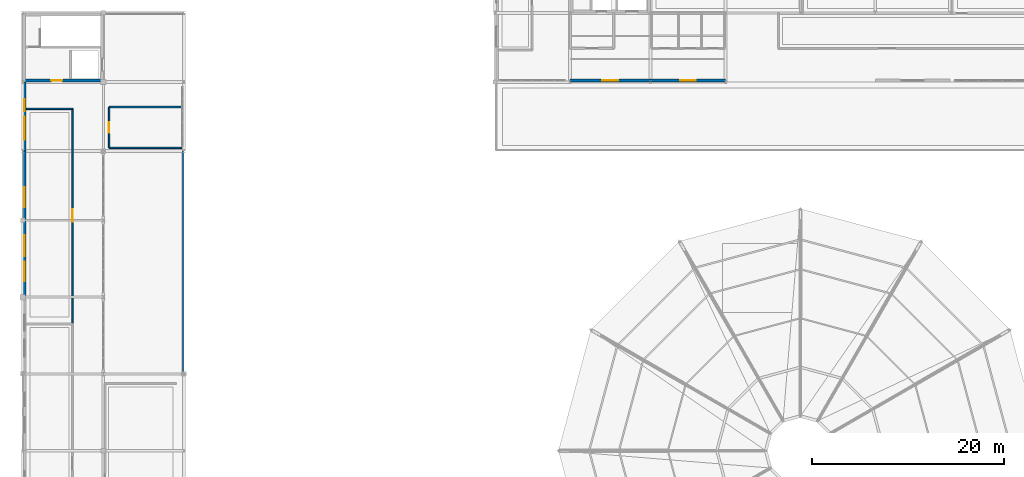
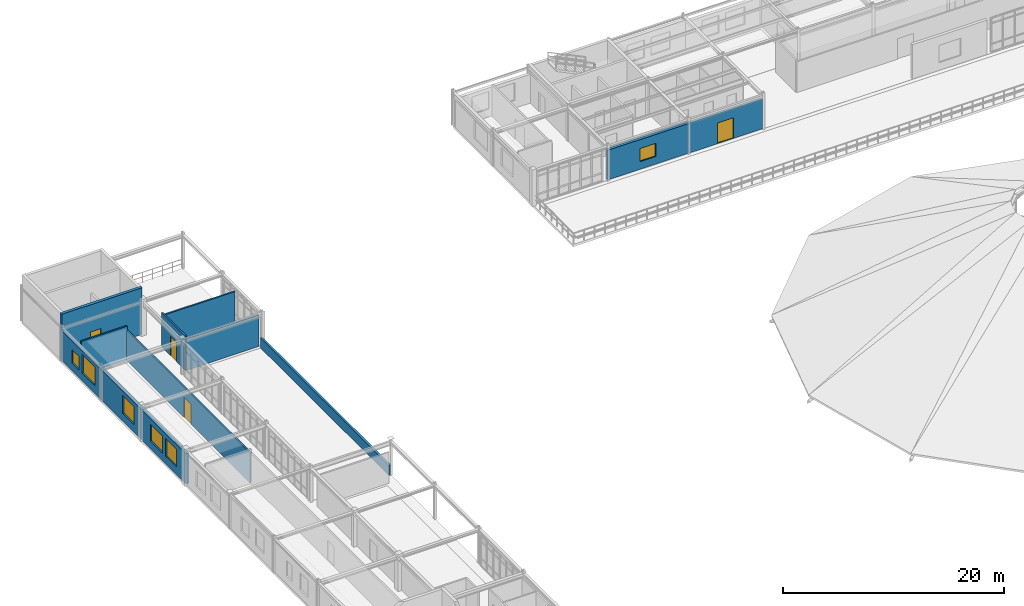
# One storey, part 50 of 58: 12 walls, 6 windows, 4 doors, 10 openings.
"""IFC4 building model written with IfcOpenShell, lengths in metres."""

import ifcopenshell
import ifcopenshell.guid

model = None  # the IFC model being written
_history = None  # IfcOwnerHistory: only IFC2X3 demands one
_inside = {}  # id of a spatial element -> (the spatial element, [elements in it])
_under = {}  # id of a project, library or spatial element -> (it, [spatial elements below it])
_declared = {}  # id of a project -> (the project, [libraries it declares])
_typed = {}  # id of a type object -> (the type object, [elements of that type])
_made_of = {}  # id of a material, layer set ... -> (it, [elements and type objects made of it])


def new_model(schema):
    """Start an empty IFC model of exactly this schema.

    Asked for "IFC4X3", IfcOpenShell would pick the latest addendum, in which some entities
    have other attributes; the version numbers below select the first issue.
    IFC2X3 requires an IfcOwnerHistory on every rooted entity: one is made here for all.
    """
    global model, _history
    if schema == "IFC4X3":
        model = ifcopenshell.file(schema_version=(4, 3, 0, 0))
    else:
        model = ifcopenshell.file(schema=schema)
    _inside.clear()
    _under.clear()
    _declared.clear()
    _typed.clear()
    _made_of.clear()
    _history = None
    if model.schema == "IFC2X3":
        org = make("IfcOrganization", Name="unknown")
        user = make(
            "IfcPersonAndOrganization",
            ThePerson=make("IfcPerson", FamilyName="unknown"),
            TheOrganization=org,
        )
        app = make(
            "IfcApplication",
            ApplicationDeveloper=org,
            Version="unknown",
            ApplicationFullName="unknown",
            ApplicationIdentifier="unknown",
        )
        _history = make(
            "IfcOwnerHistory",
            OwningUser=user,
            OwningApplication=app,
            ChangeAction="ADDED",
            CreationDate=0,
        )
    return model


def make(cls, **values):
    """One entity of the class cls with the attributes given. An attribute that is None is left unset."""
    return model.create_entity(
        cls, **{name: value for name, value in values.items() if value is not None}
    )


def rooted(cls, **values):
    """An entity with a GlobalId (a new one), such as an element, a storey or a relation."""
    return make(cls, GlobalId=ifcopenshell.guid.new(), OwnerHistory=_history, **values)


def si_unit(unit_type, name, prefix=None):
    """IfcSIUnit, for example si_unit("LENGTHUNIT", "METRE", prefix="MILLI")."""
    return make("IfcSIUnit", UnitType=unit_type, Prefix=prefix, Name=name)


def derived_unit(unit_type, elements):
    """IfcDerivedUnit: a product of units, each with its exponent."""
    return make(
        "IfcDerivedUnit",
        Elements=[
            make("IfcDerivedUnitElement", Unit=unit, Exponent=power)
            for unit, power in elements
        ],
        UnitType=unit_type,
    )


def assignment(units):
    """IfcUnitAssignment: the units of a project."""
    return None if units is None else make("IfcUnitAssignment", Units=units)


def point(xyz):
    """IfcCartesianPoint."""
    return None if xyz is None else make("IfcCartesianPoint", Coordinates=xyz)


def direction(xyz):
    """IfcDirection."""
    return None if xyz is None else make("IfcDirection", DirectionRatios=xyz)


def frame(location, z_axis=None, x_axis=None):
    """IfcAxis2Placement3D, a coordinate frame: its origin and axes. An axis left out is left unset."""
    return make(
        "IfcAxis2Placement3D",
        Location=point(location),
        Axis=direction(z_axis),
        RefDirection=direction(x_axis),
    )


def frame_2d(location, x_axis=None):
    """IfcAxis2Placement2D, a coordinate frame in the plane: its origin and x axis."""
    return make(
        "IfcAxis2Placement2D", Location=point(location), RefDirection=direction(x_axis)
    )


def origin():
    """The frame at (0, 0, 0) with its axes left unset."""
    return frame((0.0, 0.0, 0.0))


def place(relative_to, where):
    """IfcLocalPlacement: puts the frame where relative to a parent placement (None: the world)."""
    return make(
        "IfcLocalPlacement", PlacementRelTo=relative_to, RelativePlacement=where
    )


def context(
    kind, dimensions, precision=None, world=None, true_north=None, identifier=None
):
    """IfcGeometricRepresentationContext, for example the 3D "Model" context."""
    return make(
        "IfcGeometricRepresentationContext",
        ContextIdentifier=identifier,
        ContextType=kind,
        CoordinateSpaceDimension=dimensions,
        Precision=precision,
        WorldCoordinateSystem=world,
        TrueNorth=true_north,
    )


def subcontext(parent, identifier, kind, view, scale=None):
    """IfcGeometricRepresentationSubContext, for example "Body" below "Model"."""
    return make(
        "IfcGeometricRepresentationSubContext",
        ContextIdentifier=identifier,
        ContextType=kind,
        ParentContext=parent,
        TargetScale=scale,
        TargetView=view,
    )


def project(units=None, contexts=None):
    """IfcProject with its units and contexts."""
    return rooted(
        "IfcProject",
        Name="project",
        RepresentationContexts=contexts,
        UnitsInContext=assignment(units),
    )


def spatial(cls, under=None, at=None, **own):
    """A site, building, storey or space (cls), placed at a placement, below another one or the project."""
    s = rooted(cls, ObjectPlacement=at, **own)
    if under is not None:
        _under.setdefault(under.id(), (under, []))[1].append(s)
    return s


def profile(cls, at=None, kind="AREA", **sizes):
    """A parametric profile (cls). Its sizes go by their IFC names, for example OverallWidth=200.0."""
    return make(cls, ProfileType=kind, Position=at, **sizes)


def rectangle(**sizes):
    """IfcRectangleProfileDef."""
    return profile("IfcRectangleProfileDef", **sizes)


def extrude(swept, where, along, depth):
    """IfcExtrudedAreaSolid: the profile swept, set in the frame where, extruded along a direction by depth."""
    return make(
        "IfcExtrudedAreaSolid",
        SweptArea=swept,
        Position=where,
        ExtrudedDirection=direction(along),
        Depth=depth,
    )


def shape(context_of_items, identifier, shape_type, items):
    """IfcShapeRepresentation: the items that make up one representation, for example the "Body"."""
    return make(
        "IfcShapeRepresentation",
        ContextOfItems=context_of_items,
        RepresentationIdentifier=identifier,
        RepresentationType=shape_type,
        Items=items,
    )


def material(Name=None, Category=None):
    """IfcMaterial."""
    return make("IfcMaterial", Name=Name, Category=Category)


def layer(
    of_material, thickness, ventilated=None, Name=None, Category=None, Priority=None
):
    """IfcMaterialLayer: one layer of a wall or slab, of a material (None: an air gap)."""
    return make(
        "IfcMaterialLayer",
        Material=of_material,
        LayerThickness=thickness,
        IsVentilated=ventilated,
        Name=Name,
        Category=Category,
        Priority=Priority,
    )


def layer_set(layers, Name=None):
    """IfcMaterialLayerSet."""
    return make("IfcMaterialLayerSet", MaterialLayers=layers, LayerSetName=Name)


def made_of(thing, what):
    """Note that an element or type object is made of a material, layer set ...; save() writes the relation."""
    if what is not None:
        _made_of.setdefault(what.id(), (what, []))[1].append(thing)
    return thing


def type_object(cls, material=None, **own):
    """A type object (cls), such as IfcWallType, which elements share."""
    return made_of(rooted(cls, **own), material)


def element(
    cls,
    number,
    at=None,
    inside=None,
    cuts=None,
    type_object=None,
    material=None,
    context=None,
    identifier="Body",
    shape_type=None,
    held_by="IfcProductDefinitionShape",
    body=None,
    shapes=None,
    **own,
):
    """One element of the class cls, such as IfcWall. Its Tag is "e" and its number.

    at: its placement. inside: the storey or other place that contains it. cuts: it is an
    opening in that element (IfcRelVoidsElement). A single representation is given by context,
    identifier, shape_type and body (its items); several are given by shapes. held_by: the class
    of the entity that holds the representations. save() writes the other relations.
    """
    e = rooted(cls, Tag="e%d" % number, ObjectPlacement=at, **own)
    if body is not None:
        shapes = [shape(context, identifier, shape_type, body)]
    if shapes is not None:
        e.Representation = make(held_by, Representations=shapes)
    if inside is not None:
        _inside.setdefault(inside.id(), (inside, []))[1].append(e)
    if cuts is not None:
        rooted(
            "IfcRelVoidsElement", RelatingBuildingElement=cuts, RelatedOpeningElement=e
        )
    if type_object is not None:
        _typed.setdefault(type_object.id(), (type_object, []))[1].append(e)
    return made_of(e, material)


def fill(opening, filler):
    """IfcRelFillsElement: the door or window that sits in an opening."""
    return rooted(
        "IfcRelFillsElement",
        RelatingOpeningElement=opening,
        RelatedBuildingElement=filler,
    )


def aggregate(whole, parts):
    """IfcRelAggregates: a whole, such as a stair, and the parts it consists of."""
    return rooted("IfcRelAggregates", RelatingObject=whole, RelatedObjects=parts)


def save(model, path):
    """Write the relations noted so far, then the file.

    IfcRelAggregates (storeys below a building ...), IfcRelContainedInSpatialStructure (elements
    in a storey), IfcRelDefinesByType, IfcRelAssociatesMaterial and IfcRelDeclares: one each for
    every whole, place, type object, material and project.
    """
    for whole, parts in _under.values():
        aggregate(whole, parts)
    for where, things in _inside.values():
        rooted(
            "IfcRelContainedInSpatialStructure",
            RelatedElements=things,
            RelatingStructure=where,
        )
    for kind, things in _typed.values():
        rooted("IfcRelDefinesByType", RelatedObjects=things, RelatingType=kind)
    for what, things in _made_of.values():
        rooted("IfcRelAssociatesMaterial", RelatedObjects=things, RelatingMaterial=what)
    for by, libraries in _declared.values():
        rooted("IfcRelDeclares", RelatingContext=by, RelatedDefinitions=libraries)
    model.write(path)


model = new_model("IFC4")

# Units and contexts
model_context = context("Model", 3, precision=1e-05, world=origin(), true_north=direction((0.0, 1.0)))
body_context = subcontext(model_context, "Body", "Model", "MODEL_VIEW")
ifc_project = project(units=[si_unit("LENGTHUNIT", "METRE"), si_unit("AREAUNIT", "SQUARE_METRE"), si_unit("VOLUMEUNIT", "CUBIC_METRE"), si_unit("PLANEANGLEUNIT", "RADIAN"), si_unit("MASSUNIT", "GRAM", prefix="KILO"), derived_unit("THERMALTRANSMITTANCEUNIT", [(si_unit("POWERUNIT", "WATT"), 1), (si_unit("AREAUNIT", "SQUARE_METRE"), -1), (si_unit("THERMODYNAMICTEMPERATUREUNIT", "KELVIN"), -1)])], contexts=[model_context])

# Site, building, storey
site_placement = place(None, origin())
site = spatial("IfcSite", under=ifc_project, at=site_placement, CompositionType="ELEMENT")
building_placement = place(site_placement, origin())
building = spatial("IfcBuilding", under=site, at=building_placement, Name="Yasenodar Specialist Clinic", CompositionType="ELEMENT")
storey_placement = place(building_placement, frame((0.0, 0.0, 21.300048828125)))
storey = spatial("IfcBuildingStorey", under=building, at=storey_placement, Name="L05", CompositionType="ELEMENT", Elevation=21.300048828125)

# Wall, opening, door
ifc_material_1 = material(Name="Stepped Terrace Insulated Terracotta Wall", Category="masonry")
ifc_layer_1 = layer(ifc_material_1, 0.294921875)
ifc_layer_set_1 = layer_set([ifc_layer_1], Name="Stepped Terrace Insulated Terracotta Wall")
wall_type_1 = type_object("IfcWallType", Name="EW-TERR-295", PredefinedType="SOLIDWALL", material=ifc_layer_set_1)
wall_1_placement = place(storey_placement, frame((73.199951171875, 97.3701171875, 0.0), z_axis=(0.0, 0.0, 1.0), x_axis=(-1.0, 0.0, 0.0)))
wall_1 = element("IfcWall", 1, at=wall_1_placement, inside=storey, type_object=wall_type_1, Name="L05 Exterior Facade Wall 0151", PredefinedType="SOLIDWALL", context=body_context, shape_type="SweptSolid", body=[
    extrude(rectangle(XDim=7.800048828125, YDim=0.294921875, at=frame_2d((3.89990234375, 0.0))), origin(), (0.0, 0.0, 1.0), 3.27783203125),
])
opening_1_placement = place(wall_1_placement, frame((3.074951171875, 0.0, 0.0)))
opening_1 = element("IfcOpeningElement", 2, at=opening_1_placement, cuts=wall_1, Name="Opening TD-02", PredefinedType="OPENING", context=body_context, shape_type="SweptSolid", body=[
    extrude(rectangle(XDim=1.64990234375, YDim=2.280029296875, at=frame_2d((0.824951171875, 1.14013671875))), frame((0.0, 0.157470703125, 0.0), z_axis=(0.0, -1.0, 0.0), x_axis=(1.0, 0.0, 0.0)), (0.0, 0.0, 1.0), 0.31494140625),
])
ifc_material_2 = material(Name="Thermally Broken Bronze Anodized Aluminium and Laminated Glass", Category="aluminium")
door_type_1 = type_object("IfcDoorType", Name="DR-TERR-165", OperationType="DOUBLE_DOOR_SINGLE_SWING", PredefinedType="DOOR", material=ifc_material_2)
door_1_placement = place(opening_1_placement, origin())
door_1 = element("IfcDoor", 3, at=door_1_placement, inside=storey, type_object=door_type_1, Name="L05 L05 Step-2 Planted Terrace Access Door", OperationType="DOUBLE_DOOR_SINGLE_SWING", OverallHeight=2.280029296875, OverallWidth=1.64990234375, PredefinedType="DOOR", context=body_context, shape_type="SweptSolid", body=[
    extrude(rectangle(XDim=1.64990234375, YDim=2.280029296875, at=frame_2d((0.824951171875, 1.14013671875))), frame((0.0, 0.02490234375, 0.0), z_axis=(0.0, -1.0, 0.0), x_axis=(1.0, 0.0, 0.0)), (0.0, 0.0, 1.0), 0.050048828125),
])
fill(opening_1, door_1)

# Wall, opening, window
wall_2_placement = place(storey_placement, frame((65.39990234375, 97.3701171875, 0.0), z_axis=(0.0, 0.0, 1.0), x_axis=(-1.0, 0.0, 0.0)))
wall_2 = element("IfcWall", 4, at=wall_2_placement, inside=storey, type_object=wall_type_1, Name="L05 Exterior Facade Wall 0152", PredefinedType="SOLIDWALL", context=body_context, shape_type="SweptSolid", body=[
    extrude(rectangle(XDim=8.39990234375, YDim=0.294921875, at=frame_2d((4.199951171875, 0.0))), origin(), (0.0, 0.0, 1.0), 3.27783203125),
])
opening_2_placement = place(wall_2_placement, frame((3.375, 0.0, 0.85009765625)))
opening_2 = element("IfcOpeningElement", 5, at=opening_2_placement, cuts=wall_2, Name="Opening W-20", PredefinedType="OPENING", context=body_context, shape_type="SweptSolid", body=[
    extrude(rectangle(XDim=1.64990234375, YDim=1.449951171875, at=frame_2d((0.824951171875, 0.72509765625))), frame((0.0, 0.157470703125, 0.0), z_axis=(0.0, -1.0, 0.0), x_axis=(1.0, 0.0, 0.0)), (0.0, 0.0, 1.0), 0.31494140625),
])
ifc_material_3 = material(Name="Triple Low-E Argon Glazing in Bronze Aluminium Frame", Category="aluminium")
window_type_1 = type_object("IfcWindowType", Name="WIN-EXT-20", PartitioningType="SINGLE_PANEL", PredefinedType="WINDOW", material=ifc_material_3)
window_1_placement = place(opening_2_placement, origin())
window_1 = element("IfcWindow", 6, at=window_1_placement, inside=storey, type_object=window_type_1, Name="L05 Triple-Glazed Reveal Window 0166", OverallHeight=1.449951171875, OverallWidth=1.64990234375, PartitioningType="SINGLE_PANEL", PredefinedType="WINDOW", context=body_context, shape_type="SweptSolid", body=[
    extrude(rectangle(XDim=1.64990234375, YDim=1.449951171875, at=frame_2d((0.824951171875, 0.72509765625))), frame((0.0, 0.030029296875, 0.0), z_axis=(0.0, -1.0, 0.0), x_axis=(1.0, 0.0, 0.0)), (0.0, 0.0, 1.0), 0.06005859375),
])
fill(opening_2, window_1)

# Wall, openings, windows
ifc_material_4 = material(Name="Buff Architectural Terracotta Rainscreen", Category="masonry")
ifc_layer_2 = layer(ifc_material_4, 0.340087890625)
ifc_layer_set_2 = layer_set([ifc_layer_2], Name="Buff Architectural Terracotta Rainscreen")
wall_type_2 = type_object("IfcWallType", Name="EW-TERR-340", PredefinedType="SOLIDWALL", material=ifc_layer_set_2)
wall_3_placement = place(storey_placement, frame((0.199951171875, 74.800048828125, 0.0), z_axis=(0.0, 0.0, 1.0), x_axis=(0.0, 1.0, 0.0)))
wall_3 = element("IfcWall", 7, at=wall_3_placement, inside=storey, type_object=wall_type_2, Name="L05 Exterior Facade Wall 0130", PredefinedType="SOLIDWALL", context=body_context, shape_type="SweptSolid", body=[
    extrude(rectangle(XDim=8.0, YDim=0.340087890625, at=frame_2d((4.0, 0.0))), origin(), (0.0, 0.0, 1.0), 3.327880859375),
])
opening_3_placement = place(wall_3_placement, frame((1.666748046875, 0.0, 0.85009765625)))
opening_3 = element("IfcOpeningElement", 8, at=opening_3_placement, cuts=wall_3, Name="Opening W-06", PredefinedType="OPENING", context=body_context, shape_type="SweptSolid", body=[
    extrude(rectangle(XDim=2.0, YDim=1.949951171875, at=frame_2d((1.0, 0.97509765625))), frame((0.0, 0.18017578125, 0.0), z_axis=(0.0, -1.0, 0.0), x_axis=(1.0, 0.0, 0.0)), (0.0, 0.0, 1.0), 0.360107421875),
])
opening_4_placement = place(wall_3_placement, frame((4.2333984375, 0.0, 0.85009765625)))
opening_4 = element("IfcOpeningElement", 9, at=opening_4_placement, cuts=wall_3, Name="Opening W-13", PredefinedType="OPENING", context=body_context, shape_type="SweptSolid", body=[
    extrude(rectangle(XDim=2.199951171875, YDim=1.85009765625, at=frame_2d((1.10009765625, 0.925048828125))), frame((0.0, 0.18017578125, 0.0), z_axis=(0.0, -1.0, 0.0), x_axis=(1.0, 0.0, 0.0)), (0.0, 0.0, 1.0), 0.360107421875),
])
window_type_2 = type_object("IfcWindowType", Name="WIN-EXT-06", PartitioningType="SINGLE_PANEL", PredefinedType="WINDOW", material=ifc_material_3)
window_2_placement = place(opening_3_placement, origin())
window_2 = element("IfcWindow", 10, at=window_2_placement, inside=storey, type_object=window_type_2, Name="L05 Triple-Glazed Reveal Window 0145", OverallHeight=1.949951171875, OverallWidth=2.0, PartitioningType="SINGLE_PANEL", PredefinedType="WINDOW", context=body_context, shape_type="SweptSolid", body=[
    extrude(rectangle(XDim=2.0, YDim=1.949951171875, at=frame_2d((1.0, 0.97509765625))), frame((0.0, 0.030029296875, 0.0), z_axis=(0.0, -1.0, 0.0), x_axis=(1.0, 0.0, 0.0)), (0.0, 0.0, 1.0), 0.06005859375),
])
fill(opening_3, window_2)
window_type_3 = type_object("IfcWindowType", Name="WIN-EXT-13", PartitioningType="SINGLE_PANEL", PredefinedType="WINDOW", material=ifc_material_3)
window_3_placement = place(opening_4_placement, origin())
window_3 = element("IfcWindow", 11, at=window_3_placement, inside=storey, type_object=window_type_3, Name="L05 Triple-Glazed Reveal Window 0146", OverallHeight=1.85009765625, OverallWidth=2.199951171875, PartitioningType="SINGLE_PANEL", PredefinedType="WINDOW", context=body_context, shape_type="SweptSolid", body=[
    extrude(rectangle(XDim=2.199951171875, YDim=1.85009765625, at=frame_2d((1.10009765625, 0.925048828125))), frame((0.0, 0.030029296875, 0.0), z_axis=(0.0, -1.0, 0.0), x_axis=(1.0, 0.0, 0.0)), (0.0, 0.0, 1.0), 0.06005859375),
])
fill(opening_4, window_3)

# Wall, opening, window
wall_4_placement = place(storey_placement, frame((0.199951171875, 82.800048828125, 0.0), z_axis=(0.0, 0.0, 1.0), x_axis=(0.0, 1.0, 0.0)))
wall_4 = element("IfcWall", 12, at=wall_4_placement, inside=storey, type_object=wall_type_2, Name="L05 Exterior Facade Wall 0131", PredefinedType="SOLIDWALL", context=body_context, shape_type="SweptSolid", body=[
    extrude(rectangle(XDim=7.199951171875, YDim=0.340087890625, at=frame_2d((3.60009765625, 0.0))), origin(), (0.0, 0.0, 1.0), 3.337890625),
])
opening_5_placement = place(wall_4_placement, frame((1.35009765625, 0.0, 0.85009765625)))
opening_5 = element("IfcOpeningElement", 13, at=opening_5_placement, cuts=wall_4, Name="Opening W-07", PredefinedType="OPENING", context=body_context, shape_type="SweptSolid", body=[
    extrude(rectangle(XDim=2.10009765625, YDim=2.0, at=frame_2d((1.050048828125, 1.0))), frame((0.0, 0.18017578125, 0.0), z_axis=(0.0, -1.0, 0.0), x_axis=(1.0, 0.0, 0.0)), (0.0, 0.0, 1.0), 0.360107421875),
])
window_type_4 = type_object("IfcWindowType", Name="WIN-EXT-07", PartitioningType="SINGLE_PANEL", PredefinedType="WINDOW", material=ifc_material_3)
window_4_placement = place(opening_5_placement, origin())
window_4 = element("IfcWindow", 14, at=window_4_placement, inside=storey, type_object=window_type_4, Name="L05 Triple-Glazed Reveal Window 0147", OverallHeight=2.0, OverallWidth=2.10009765625, PartitioningType="SINGLE_PANEL", PredefinedType="WINDOW", context=body_context, shape_type="SweptSolid", body=[
    extrude(rectangle(XDim=2.10009765625, YDim=2.0, at=frame_2d((1.050048828125, 1.0))), frame((0.0, 0.030029296875, 0.0), z_axis=(0.0, -1.0, 0.0), x_axis=(1.0, 0.0, 0.0)), (0.0, 0.0, 1.0), 0.06005859375),
])
fill(opening_5, window_4)

# Wall, openings, windows
wall_5_placement = place(storey_placement, frame((0.199951171875, 90.0, 0.0), z_axis=(0.0, 0.0, 1.0), x_axis=(0.0, 1.0, 0.0)))
wall_5 = element("IfcWall", 15, at=wall_5_placement, inside=storey, type_object=wall_type_2, Name="L05 Exterior Facade Wall 0132", PredefinedType="SOLIDWALL", context=body_context, shape_type="SweptSolid", body=[
    extrude(rectangle(XDim=7.199951171875, YDim=0.340087890625, at=frame_2d((3.60009765625, 0.0))), origin(), (0.0, 0.0, 1.0), 3.337890625),
])
opening_6_placement = place(wall_5_placement, frame((1.199951171875, 0.0, 0.85009765625)))
opening_6 = element("IfcOpeningElement", 16, at=opening_6_placement, cuts=wall_5, Name="Opening W-08", PredefinedType="OPENING", context=body_context, shape_type="SweptSolid", body=[
    extrude(rectangle(XDim=2.39990234375, YDim=2.050048828125, at=frame_2d((1.199951171875, 1.02490234375))), frame((0.0, 0.18017578125, 0.0), z_axis=(0.0, -1.0, 0.0), x_axis=(1.0, 0.0, 0.0)), (0.0, 0.0, 1.0), 0.360107421875),
])
opening_7_placement = place(wall_5_placement, frame((4.175048828125, 0.0, 0.85009765625)))
opening_7 = element("IfcOpeningElement", 17, at=opening_7_placement, cuts=wall_5, Name="Opening W-15", PredefinedType="OPENING", context=body_context, shape_type="SweptSolid", body=[
    extrude(rectangle(XDim=1.25, YDim=1.5, at=frame_2d((0.625, 0.75))), frame((0.0, 0.18017578125, 0.0), z_axis=(0.0, -1.0, 0.0), x_axis=(1.0, 0.0, 0.0)), (0.0, 0.0, 1.0), 0.360107421875),
])
window_type_5 = type_object("IfcWindowType", Name="WIN-EXT-08", PartitioningType="SINGLE_PANEL", PredefinedType="WINDOW", material=ifc_material_3)
window_5_placement = place(opening_6_placement, origin())
window_5 = element("IfcWindow", 18, at=window_5_placement, inside=storey, type_object=window_type_5, Name="L05 Triple-Glazed Reveal Window 0148", OverallHeight=2.050048828125, OverallWidth=2.39990234375, PartitioningType="SINGLE_PANEL", PredefinedType="WINDOW", context=body_context, shape_type="SweptSolid", body=[
    extrude(rectangle(XDim=2.39990234375, YDim=2.050048828125, at=frame_2d((1.199951171875, 1.02490234375))), frame((0.0, 0.030029296875, 0.0), z_axis=(0.0, -1.0, 0.0), x_axis=(1.0, 0.0, 0.0)), (0.0, 0.0, 1.0), 0.06005859375),
])
fill(opening_6, window_5)
window_type_6 = type_object("IfcWindowType", Name="WIN-EXT-15", PartitioningType="SINGLE_PANEL", PredefinedType="WINDOW", material=ifc_material_3)
window_6_placement = place(opening_7_placement, origin())
window_6 = element("IfcWindow", 19, at=window_6_placement, inside=storey, type_object=window_type_6, Name="L05 Triple-Glazed Reveal Window 0149", OverallHeight=1.5, OverallWidth=1.25, PartitioningType="SINGLE_PANEL", PredefinedType="WINDOW", context=body_context, shape_type="SweptSolid", body=[
    extrude(rectangle(XDim=1.25, YDim=1.5, at=frame_2d((0.625, 0.75))), frame((0.0, 0.030029296875, 0.0), z_axis=(0.0, -1.0, 0.0), x_axis=(1.0, 0.0, 0.0)), (0.0, 0.0, 1.0), 0.06005859375),
])
fill(opening_7, window_6)

# Wall, opening, door
ifc_material_5 = material(Name="Acoustic Double-Gypsum Consulting Partition")
ifc_layer_3 = layer(ifc_material_5, 0.159912109375)
ifc_layer_set_3 = layer_set([ifc_layer_3], Name="Acoustic Double-Gypsum Consulting Partition")
wall_type_3 = type_object("IfcWallType", Name="IW-CONS-160", PredefinedType="PARTITIONING", material=ifc_layer_set_3)
wall_6_placement = place(storey_placement, frame((9.0, 90.35009765625, 0.0), z_axis=(0.0, 0.0, 1.0), x_axis=(0.0, 1.0, 0.0)))
wall_6 = element("IfcWall", 20, at=wall_6_placement, inside=storey, type_object=wall_type_3, Name="L05 Multidisciplinary Telemedicine West Partition", PredefinedType="PARTITIONING", context=body_context, shape_type="SweptSolid", body=[
    extrude(rectangle(XDim=4.25, YDim=0.159912109375, at=frame_2d((2.125, 0.0))), origin(), (0.0, 0.0, 1.0), 3.780029296875),
])
opening_8_placement = place(wall_6_placement, frame((1.550048828125, 0.0, 0.0)))
opening_8 = element("IfcOpeningElement", 21, at=opening_8_placement, cuts=wall_6, Name="Opening D-05", PredefinedType="OPENING", context=body_context, shape_type="SweptSolid", body=[
    extrude(rectangle(XDim=1.1201171875, YDim=2.179931640625, at=frame_2d((0.56005859375, 1.08984375))), frame((0.0, 0.08984375, 0.0), z_axis=(0.0, -1.0, 0.0), x_axis=(1.0, 0.0, 0.0)), (0.0, 0.0, 1.0), 0.179931640625),
])
ifc_material_6 = material(Name="Powder-Coated Steel and Acoustic Laminate Leaf", Category="steel")
door_type_2 = type_object("IfcDoorType", Name="DR-CLN-112", OperationType="NOTDEFINED", PredefinedType="DOOR", material=ifc_material_6)
door_2_placement = place(opening_8_placement, origin())
door_2 = element("IfcDoor", 22, at=door_2_placement, inside=storey, type_object=door_type_2, Name="L05 Multidisciplinary Telemedicine Room Door", OperationType="SINGLE_SWING_RIGHT", OverallHeight=2.179931640625, OverallWidth=1.1201171875, PredefinedType="DOOR", context=body_context, shape_type="SweptSolid", body=[
    extrude(rectangle(XDim=1.1201171875, YDim=2.179931640625, at=frame_2d((0.56005859375, 1.08984375))), frame((0.0, 0.02490234375, 0.0), z_axis=(0.0, -1.0, 0.0), x_axis=(1.0, 0.0, 0.0)), (0.0, 0.0, 1.0), 0.050048828125),
])
fill(opening_8, door_2)

# Walls
wall_7_placement = place(storey_placement, frame((9.0, 90.35009765625, 0.0), z_axis=(0.0, 0.0, 1.0), x_axis=(1.0, 0.0, 0.0)))
element("IfcWall", 23, at=wall_7_placement, inside=storey, type_object=wall_type_3, Name="L05 Multidisciplinary Telemedicine South Partition", PredefinedType="PARTITIONING", context=body_context, shape_type="SweptSolid", body=[
    extrude(rectangle(XDim=7.590087890625, YDim=0.159912109375, at=frame_2d((3.794921875, 0.0))), origin(), (0.0, 0.0, 1.0), 3.498046875),
])
wall_8_placement = place(storey_placement, frame((9.0, 94.60009765625, 0.0), z_axis=(0.0, 0.0, 1.0), x_axis=(1.0, 0.0, 0.0)))
element("IfcWall", 24, at=wall_8_placement, inside=storey, type_object=wall_type_3, Name="L05 Multidisciplinary Telemedicine North Partition", PredefinedType="PARTITIONING", context=body_context, shape_type="SweptSolid", body=[
    extrude(rectangle(XDim=7.550048828125, YDim=0.159912109375, at=frame_2d((3.77490234375, 0.0))), origin(), (0.0, 0.0, 1.0), 3.498046875),
])

# Wall, opening, door
wall_9_placement = place(storey_placement, frame((5.199951171875, 94.39990234375, 0.0), z_axis=(0.0, 0.0, 1.0), x_axis=(0.0, -1.0, 0.0)))
wall_9 = element("IfcWall", 25, at=wall_9_placement, inside=storey, type_object=wall_type_3, Name="L05 Cardiopulmonary Wellness Consulting Partition", PredefinedType="PARTITIONING", context=body_context, shape_type="SweptSolid", body=[
    extrude(rectangle(XDim=22.3349609375, YDim=0.159912109375, at=frame_2d((11.16748046875, 0.0))), origin(), (0.0, 0.0, 1.0), 3.327880859375),
])
opening_9_placement = place(wall_9_placement, frame((10.449951171875, 0.0, 0.0)))
opening_9 = element("IfcOpeningElement", 26, at=opening_9_placement, cuts=wall_9, Name="Opening D-08", PredefinedType="OPENING", context=body_context, shape_type="SweptSolid", body=[
    extrude(rectangle(XDim=1.280029296875, YDim=2.219970703125, at=frame_2d((0.64013671875, 1.10986328125))), frame((0.0, 0.08984375, 0.0), z_axis=(0.0, -1.0, 0.0), x_axis=(1.0, 0.0, 0.0)), (0.0, 0.0, 1.0), 0.179931640625),
])
door_type_3 = type_object("IfcDoorType", Name="DR-CLN-128", OperationType="NOTDEFINED", PredefinedType="DOOR", material=ifc_material_6)
door_3_placement = place(opening_9_placement, origin())
door_3 = element("IfcDoor", 27, at=door_3_placement, inside=storey, type_object=door_type_3, Name="L05 Cardiopulmonary Wellness Consulting Door", OperationType="SINGLE_SWING_LEFT", OverallHeight=2.219970703125, OverallWidth=1.280029296875, PredefinedType="DOOR", context=body_context, shape_type="SweptSolid", body=[
    extrude(rectangle(XDim=1.280029296875, YDim=2.219970703125, at=frame_2d((0.64013671875, 1.10986328125))), frame((0.0, 0.02490234375, 0.0), z_axis=(0.0, -1.0, 0.0), x_axis=(1.0, 0.0, 0.0)), (0.0, 0.0, 1.0), 0.050048828125),
])
fill(opening_9, door_3)

# Wall
wall_10_placement = place(storey_placement, frame((0.39990234375, 94.39990234375, 0.0), z_axis=(0.0, 0.0, 1.0), x_axis=(1.0, 0.0, 0.0)))
element("IfcWall", 28, at=wall_10_placement, inside=storey, type_object=wall_type_3, Name="L05 Cardiopulmonary Wellness Consulting Partition", PredefinedType="PARTITIONING", context=body_context, shape_type="SweptSolid", body=[
    extrude(rectangle(XDim=4.800048828125, YDim=0.159912109375, at=frame_2d((2.39990234375, 0.0))), origin(), (0.0, 0.0, 1.0), 3.780029296875),
])

# Wall, opening, door
ifc_material_7 = material(Name="Concrete C35/45", Category="concrete")
ifc_layer_4 = layer(ifc_material_7, 0.300048828125)
ifc_layer_set_4 = layer_set([ifc_layer_4], Name="Concrete C35/45")
wall_type_4 = type_object("IfcWallType", Name="WL-CORE-300", PredefinedType="SHEAR", material=ifc_layer_set_4)
wall_11_placement = place(storey_placement, frame((0.0, 97.35009765625, 0.0), z_axis=(0.0, 0.0, 1.0), x_axis=(1.0, 0.0, 0.0)))
wall_11 = element("IfcWall", 29, at=wall_11_placement, inside=storey, type_object=wall_type_4, Name="L05 Core C2 South Shear Wall", PredefinedType="SHEAR", context=body_context, shape_type="SweptSolid", body=[
    extrude(rectangle(XDim=8.39990234375, YDim=0.300048828125, at=frame_2d((4.199951171875, 0.0))), origin(), (0.0, 0.0, 1.0), 5.14990234375),
])
opening_10_placement = place(wall_11_placement, frame((3.0, 0.0, 0.0)))
opening_10 = element("IfcOpeningElement", 30, at=opening_10_placement, cuts=wall_11, Name="Opening FD-01", PredefinedType="OPENING", context=body_context, shape_type="SweptSolid", body=[
    extrude(rectangle(XDim=1.10009765625, YDim=2.14990234375, at=frame_2d((0.550048828125, 1.074951171875))), frame((0.0, 0.16015625, 0.0), z_axis=(0.0, -1.0, 0.0), x_axis=(1.0, 0.0, 0.0)), (0.0, 0.0, 1.0), 0.320068359375),
])
ifc_material_8 = material(Name="Fire-Rated Insulated Steel Door", Category="steel")
door_type_4 = type_object("IfcDoorType", Name="DR-FD-110", OperationType="NOTDEFINED", PredefinedType="DOOR", material=ifc_material_8)
door_4_placement = place(opening_10_placement, origin())
door_4 = element("IfcDoor", 31, at=door_4_placement, inside=storey, type_object=door_type_4, Name="L05 Stair ST-02 Vestibule Door", OperationType="SINGLE_SWING_LEFT", OverallHeight=2.14990234375, OverallWidth=1.10009765625, PredefinedType="DOOR", context=body_context, shape_type="SweptSolid", body=[
    extrude(rectangle(XDim=1.10009765625, YDim=2.14990234375, at=frame_2d((0.550048828125, 1.074951171875))), frame((0.0, 0.02490234375, 0.0), z_axis=(0.0, -1.0, 0.0), x_axis=(1.0, 0.0, 0.0)), (0.0, 0.0, 1.0), 0.050048828125),
])
fill(opening_10, door_4)

# Wall
ifc_material_9 = material(Name="Precast concrete C40/50", Category="concrete")
ifc_layer_5 = layer(ifc_material_9, 0.219970703125)
ifc_layer_set_5 = layer_set([ifc_layer_5], Name="Precast concrete C40/50")
wall_type_5 = type_object("IfcWallType", Name="WL-PAR-220", PredefinedType="PARAPET", material=ifc_layer_set_5)
wall_12_placement = place(storey_placement, frame((16.68994140625, 66.800048828125, 0.0), z_axis=(0.0, 0.0, 1.0), x_axis=(0.0, 1.0, 0.0)))
element("IfcWall", 32, at=wall_12_placement, inside=storey, type_object=wall_type_5, Name="L05 Stone-Coped Courtyard Setback Roof Parapet", PredefinedType="PARAPET", context=body_context, shape_type="SweptSolid", body=[
    extrude(rectangle(XDim=23.199951171875, YDim=0.219970703125, at=frame_2d((11.60009765625, 0.0))), origin(), (0.0, 0.0, 1.0), 1.119873046875),
])

save(model, "model.ifc")
